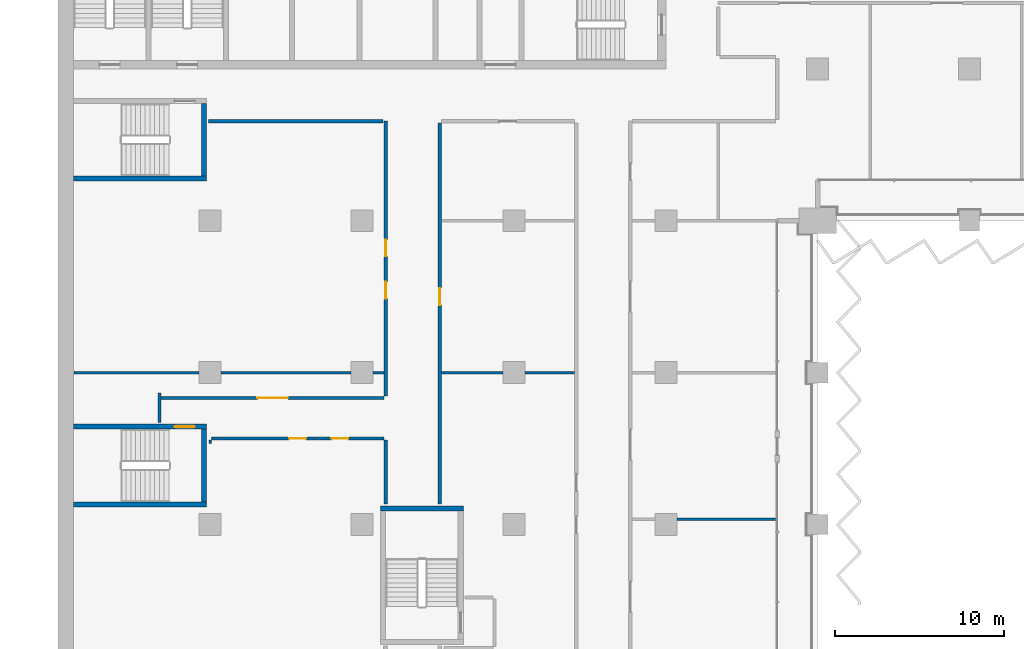
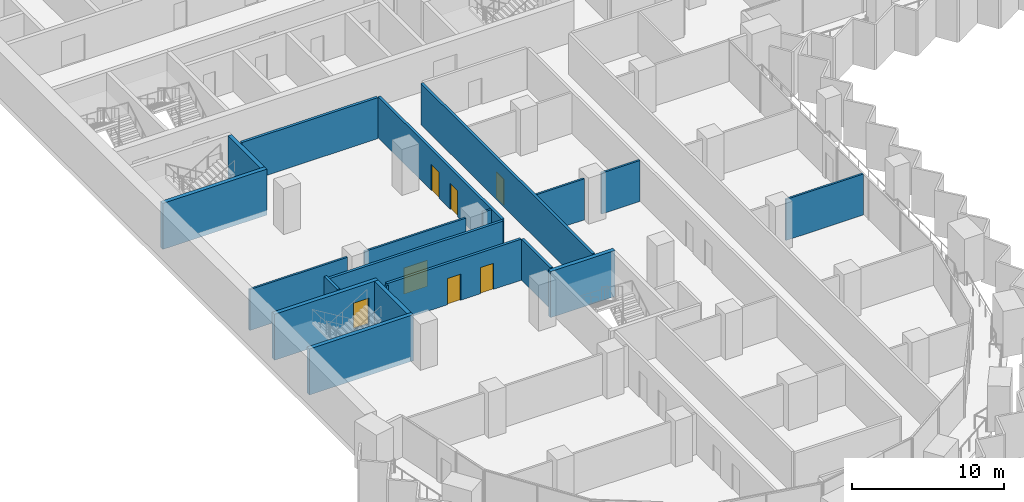
# One storey, part 10 of 22: 20 walls, 7 doors, 7 openings.
"""IFC4 building model written with IfcOpenShell, lengths in metres."""

from ifc_helpers import new_model, si_unit, direction, frame, frame_2d, origin, place, context, subcontext, project, spatial, rectangle, extrude, material, layer, layer_set, type_object, element, fill, save


model = new_model("IFC4")

# Units and contexts
model_context = context("Model", 3, precision=1e-05, world=origin(), true_north=direction((0.0, 1.0)))
body_context = subcontext(model_context, "Body", "Model", "MODEL_VIEW")
ifc_project = project(units=[si_unit("LENGTHUNIT", "METRE"), si_unit("AREAUNIT", "SQUARE_METRE"), si_unit("VOLUMEUNIT", "CUBIC_METRE"), si_unit("PLANEANGLEUNIT", "RADIAN"), si_unit("MASSUNIT", "GRAM", prefix="KILO")], contexts=[model_context])

# Site, building, storey
site_placement = place(None, origin())
site = spatial("IfcSite", under=ifc_project, at=site_placement, CompositionType="ELEMENT")
building_placement = place(site_placement, origin())
building = spatial("IfcBuilding", under=site, at=building_placement, Name="Hunhe Ridgeline Campus", CompositionType="ELEMENT")
storey_placement = place(building_placement, frame((0.0, 0.0, 84.800048828125)))
storey = spatial("IfcBuildingStorey", under=building, at=storey_placement, Name="L20", CompositionType="ELEMENT", Elevation=84.800048828125)

# Wall, openings, doors
ifc_material_1 = material(Name="Gypsum board partition")
ifc_layer_1 = layer(ifc_material_1, 0.199951171875)
ifc_layer_set_1 = layer_set([ifc_layer_1], Name="Corridor partition 200 gypsum board on steel studs")
wall_type_1 = type_object("IfcWallType", Name="Corridor partition 200 gypsum board on steel studs", PredefinedType="PARTITIONING", material=ifc_layer_set_1)
wall_1_placement = place(storey_placement, frame((19.300048828125, 41.10009765625, 0.0), z_axis=(0.0, 0.0, 1.0), x_axis=(-1.0, 0.0, 0.0)))
wall_1 = element("IfcWall", 1, at=wall_1_placement, inside=storey, type_object=wall_type_1, Name="F-L20-wall-021", PredefinedType="PARTITIONING", context=body_context, shape_type="SweptSolid", body=[
    extrude(rectangle(XDim=10.22509765625, YDim=0.199951171875, at=frame_2d((5.112548828125, 0.0))), origin(), (0.0, 0.0, 1.0), 3.300048828125),
])
opening_1_placement = place(wall_1_placement, frame((4.612548828125, 0.0, 0.0)))
opening_1 = element("IfcOpeningElement", 2, at=opening_1_placement, cuts=wall_1, Name="Opening RD1-013", PredefinedType="OPENING", context=body_context, shape_type="SweptSolid", body=[
    extrude(rectangle(XDim=1.0, YDim=2.10009765625, at=frame_2d((0.5, 1.050048828125))), frame((0.0, 0.10009765625, 0.0), z_axis=(0.0, -1.0, 0.0), x_axis=(1.0, 0.0, 0.0)), (0.0, 0.0, 1.0), 0.199951171875),
])
opening_2_placement = place(wall_1_placement, frame((2.112548828125, 0.0, 0.0)))
opening_2 = element("IfcOpeningElement", 3, at=opening_2_placement, cuts=wall_1, Name="Opening RD1-014", PredefinedType="OPENING", context=body_context, shape_type="SweptSolid", body=[
    extrude(rectangle(XDim=1.0, YDim=2.10009765625, at=frame_2d((0.5, 1.050048828125))), frame((0.0, 0.10009765625, 0.0), z_axis=(0.0, -1.0, 0.0), x_axis=(1.0, 0.0, 0.0)), (0.0, 0.0, 1.0), 0.199951171875),
])
ifc_material_2 = material(Name="Timber door leaf", Category="wood")
door_type_1 = type_object("IfcDoorType", Name="Single fire door 1000x2100 timber FD60", OperationType="NOTDEFINED", PredefinedType="DOOR", material=ifc_material_2)
door_1_placement = place(opening_1_placement, frame((1.0, 0.0, 0.0), z_axis=(0.0, 0.0, 1.0), x_axis=(-1.0, 0.0, 0.0)))
door_1 = element("IfcDoor", 4, at=door_1_placement, inside=storey, type_object=door_type_1, Name="F-L20-door-013", OperationType="SINGLE_SWING_RIGHT", OverallHeight=2.10009765625, OverallWidth=1.0, PredefinedType="DOOR", context=body_context, shape_type="SweptSolid", body=[
    extrude(rectangle(XDim=1.0, YDim=2.10009765625, at=frame_2d((0.5, 1.050048828125))), frame((0.0, 0.02490234375, 0.0), z_axis=(0.0, -1.0, 0.0), x_axis=(1.0, 0.0, 0.0)), (0.0, 0.0, 1.0), 0.050048828125),
])
fill(opening_1, door_1)
door_2_placement = place(opening_2_placement, frame((1.0, 0.0, 0.0), z_axis=(0.0, 0.0, 1.0), x_axis=(-1.0, 0.0, 0.0)))
door_2 = element("IfcDoor", 5, at=door_2_placement, inside=storey, type_object=door_type_1, Name="F-L20-door-014", OperationType="SINGLE_SWING_RIGHT", OverallHeight=2.10009765625, OverallWidth=1.0, PredefinedType="DOOR", context=body_context, shape_type="SweptSolid", body=[
    extrude(rectangle(XDim=1.0, YDim=2.10009765625, at=frame_2d((0.5, 1.050048828125))), frame((0.0, 0.02490234375, 0.0), z_axis=(0.0, -1.0, 0.0), x_axis=(1.0, 0.0, 0.0)), (0.0, 0.0, 1.0), 0.050048828125),
])
fill(opening_2, door_2)

# Wall, opening, door
wall_2_placement = place(storey_placement, frame((6.10009765625, 43.5, 0.0), z_axis=(0.0, 0.0, 1.0), x_axis=(1.0, 0.0, 0.0)))
wall_2 = element("IfcWall", 6, at=wall_2_placement, inside=storey, type_object=wall_type_1, Name="F-L20-wall-022", PredefinedType="PARTITIONING", context=body_context, shape_type="SweptSolid", body=[
    extrude(rectangle(XDim=13.199951171875, YDim=0.199951171875, at=frame_2d((6.60009765625, 0.0))), origin(), (0.0, 0.0, 1.0), 3.300048828125),
])
opening_3_placement = place(wall_2_placement, frame((5.699951171875, 0.0, 0.0)))
opening_3 = element("IfcOpeningElement", 7, at=opening_3_placement, cuts=wall_2, Name="Opening RD2-015", PredefinedType="OPENING", context=body_context, shape_type="SweptSolid", body=[
    extrude(rectangle(XDim=1.800048828125, YDim=2.10009765625, at=frame_2d((0.89990234375, 1.050048828125))), frame((0.0, 0.10009765625, 0.0), z_axis=(0.0, -1.0, 0.0), x_axis=(1.0, 0.0, 0.0)), (0.0, 0.0, 1.0), 0.199951171875),
])
door_type_2 = type_object("IfcDoorType", Name="Double fire door 1800x2100 timber FD60", OperationType="DOUBLE_DOOR_SINGLE_SWING", PredefinedType="DOOR", material=ifc_material_2)
door_3_placement = place(opening_3_placement, origin())
door_3 = element("IfcDoor", 8, at=door_3_placement, inside=storey, type_object=door_type_2, Name="F-L20-door-015", OperationType="DOUBLE_DOOR_SINGLE_SWING", OverallHeight=2.10009765625, OverallWidth=1.800048828125, PredefinedType="DOOR", context=body_context, shape_type="SweptSolid", body=[
    extrude(rectangle(XDim=1.800048828125, YDim=2.10009765625, at=frame_2d((0.89990234375, 1.050048828125))), frame((0.0, 0.02490234375, 0.0), z_axis=(0.0, -1.0, 0.0), x_axis=(1.0, 0.0, 0.0)), (0.0, 0.0, 1.0), 0.050048828125),
])
fill(opening_3, door_3)

# Walls
wall_3_placement = place(storey_placement, frame((19.249755859375, 59.89990234375, 0.0), z_axis=(0.0, 0.0, 1.0), x_axis=(-1.0, 0.0, 0.0)))
element("IfcWall", 9, at=wall_3_placement, inside=storey, type_object=wall_type_1, Name="F-L20-wall-035", PredefinedType="PARTITIONING", context=body_context, shape_type="SweptSolid", body=[
    extrude(rectangle(XDim=10.345703125, YDim=0.199951171875, at=frame_2d((5.1728515625, 0.0))), origin(), (0.0, 0.0, 1.0), 3.300048828125),
])
wall_4_placement = place(storey_placement, frame((6.0, 42.053955078125, 0.0), z_axis=(0.0, 0.0, 1.0), x_axis=(0.0, 1.0, 0.0)))
element("IfcWall", 10, at=wall_4_placement, inside=storey, type_object=wall_type_1, Name="F-L20-wall-044", PredefinedType="PARTITIONING", context=body_context, shape_type="SweptSolid", body=[
    extrude(rectangle(XDim=1.74609375, YDim=0.199951171875, at=frame_2d((0.873046875, 0.0))), origin(), (0.0, 0.0, 1.0), 3.300048828125),
])
wall_5_placement = place(storey_placement, frame((19.39990234375, 37.2041015625, 0.0), z_axis=(0.0, 0.0, 1.0), x_axis=(0.0, 1.0, 0.0)))
element("IfcWall", 11, at=wall_5_placement, inside=storey, type_object=wall_type_1, Name="F-L20-wall-047", PredefinedType="PARTITIONING", context=body_context, shape_type="SweptSolid", body=[
    extrude(rectangle(XDim=3.7958984375, YDim=0.199951171875, at=frame_2d((1.89794921875, 0.0))), origin(), (0.0, 0.0, 1.0), 3.300048828125),
])

# Wall, openings, doors
wall_6_placement = place(storey_placement, frame((19.39990234375, 43.6181640625, 0.0), z_axis=(0.0, 0.0, 1.0), x_axis=(0.0, 1.0, 0.0)))
wall_6 = element("IfcWall", 12, at=wall_6_placement, inside=storey, type_object=wall_type_1, Name="F-L20-wall-048", PredefinedType="PARTITIONING", context=body_context, shape_type="SweptSolid", body=[
    extrude(rectangle(XDim=16.28173828125, YDim=0.199951171875, at=frame_2d((8.140869140625, 0.0))), origin(), (0.0, 0.0, 1.0), 3.300048828125),
])
opening_4_placement = place(wall_6_placement, frame((5.76708984375, 0.0, 0.0)))
opening_4 = element("IfcOpeningElement", 13, at=opening_4_placement, cuts=wall_6, Name="Opening RD1-018", PredefinedType="OPENING", context=body_context, shape_type="SweptSolid", body=[
    extrude(rectangle(XDim=1.0, YDim=2.10009765625, at=frame_2d((0.5, 1.050048828125))), frame((0.0, 0.10009765625, 0.0), z_axis=(0.0, -1.0, 0.0), x_axis=(1.0, 0.0, 0.0)), (0.0, 0.0, 1.0), 0.199951171875),
])
opening_5_placement = place(wall_6_placement, frame((8.26708984375, 0.0, 0.0)))
opening_5 = element("IfcOpeningElement", 14, at=opening_5_placement, cuts=wall_6, Name="Opening RD1-019", PredefinedType="OPENING", context=body_context, shape_type="SweptSolid", body=[
    extrude(rectangle(XDim=1.0, YDim=2.10009765625, at=frame_2d((0.5, 1.050048828125))), frame((0.0, 0.10009765625, 0.0), z_axis=(0.0, -1.0, 0.0), x_axis=(1.0, 0.0, 0.0)), (0.0, 0.0, 1.0), 0.199951171875),
])
door_4_placement = place(opening_4_placement, frame((1.0, 0.0, 0.0), z_axis=(0.0, 0.0, 1.0), x_axis=(-1.0, 0.0, 0.0)))
door_4 = element("IfcDoor", 15, at=door_4_placement, inside=storey, type_object=door_type_1, Name="F-L20-door-018", OperationType="SINGLE_SWING_RIGHT", OverallHeight=2.10009765625, OverallWidth=1.0, PredefinedType="DOOR", context=body_context, shape_type="SweptSolid", body=[
    extrude(rectangle(XDim=1.0, YDim=2.10009765625, at=frame_2d((0.5, 1.050048828125))), frame((0.0, 0.02490234375, 0.0), z_axis=(0.0, -1.0, 0.0), x_axis=(1.0, 0.0, 0.0)), (0.0, 0.0, 1.0), 0.050048828125),
])
fill(opening_4, door_4)
door_5_placement = place(opening_5_placement, frame((1.0, 0.0, 0.0), z_axis=(0.0, 0.0, 1.0), x_axis=(-1.0, 0.0, 0.0)))
door_5 = element("IfcDoor", 16, at=door_5_placement, inside=storey, type_object=door_type_1, Name="F-L20-door-019", OperationType="SINGLE_SWING_LEFT", OverallHeight=2.10009765625, OverallWidth=1.0, PredefinedType="DOOR", context=body_context, shape_type="SweptSolid", body=[
    extrude(rectangle(XDim=1.0, YDim=2.10009765625, at=frame_2d((0.5, 1.050048828125))), frame((0.0, 0.02490234375, 0.0), z_axis=(0.0, -1.0, 0.0), x_axis=(1.0, 0.0, 0.0)), (0.0, 0.0, 1.0), 0.050048828125),
])
fill(opening_5, door_5)

# Wall, opening, door
wall_7_placement = place(storey_placement, frame((22.60009765625, 59.800048828125, 0.0), z_axis=(0.0, 0.0, 1.0), x_axis=(0.0, -1.0, 0.0)))
wall_7 = element("IfcWall", 17, at=wall_7_placement, inside=storey, type_object=wall_type_1, Name="F-L20-wall-051", PredefinedType="PARTITIONING", context=body_context, shape_type="SweptSolid", body=[
    extrude(rectangle(XDim=22.595947265625, YDim=0.199951171875, at=frame_2d((11.2978515625, 0.0))), origin(), (0.0, 0.0, 1.0), 3.300048828125),
])
opening_6_placement = place(wall_7_placement, frame((9.793701171875, 0.0, 0.0)))
opening_6 = element("IfcOpeningElement", 18, at=opening_6_placement, cuts=wall_7, Name="Opening RD1-016", PredefinedType="OPENING", context=body_context, shape_type="SweptSolid", body=[
    extrude(rectangle(XDim=1.0, YDim=2.10009765625, at=frame_2d((0.5, 1.050048828125))), frame((0.0, 0.10009765625, 0.0), z_axis=(0.0, -1.0, 0.0), x_axis=(1.0, 0.0, 0.0)), (0.0, 0.0, 1.0), 0.199951171875),
])
door_6_placement = place(opening_6_placement, origin())
door_6 = element("IfcDoor", 19, at=door_6_placement, inside=storey, type_object=door_type_1, Name="F-L20-door-016", OperationType="SINGLE_SWING_LEFT", OverallHeight=2.10009765625, OverallWidth=1.0, PredefinedType="DOOR", context=body_context, shape_type="SweptSolid", body=[
    extrude(rectangle(XDim=1.0, YDim=2.10009765625, at=frame_2d((0.5, 1.050048828125))), frame((0.0, 0.02490234375, 0.0), z_axis=(0.0, -1.0, 0.0), x_axis=(1.0, 0.0, 0.0)), (0.0, 0.0, 1.0), 0.050048828125),
])
fill(opening_6, door_6)

# Walls
ifc_layer_2 = layer(ifc_material_1, 0.14990234375)
ifc_layer_set_2 = layer_set([ifc_layer_2], Name="Room partition 150 gypsum board on steel studs")
wall_type_2 = type_object("IfcWallType", Name="Room partition 150 gypsum board on steel studs", PredefinedType="PARTITIONING", material=ifc_layer_set_2)
wall_8_placement = place(storey_placement, frame((36.64990234375, 36.300048828125, 0.0), z_axis=(0.0, 0.0, 1.0), x_axis=(1.0, 0.0, 0.0)))
element("IfcWall", 20, at=wall_8_placement, inside=storey, type_object=wall_type_2, Name="F-L20-wall-020", PredefinedType="PARTITIONING", context=body_context, shape_type="SweptSolid", body=[
    extrude(rectangle(XDim=5.895263671875, YDim=0.14990234375, at=frame_2d((2.94775390625, 0.0))), origin(), (0.0, 0.0, 1.0), 3.300048828125),
])
wall_9_placement = place(storey_placement, frame((0.919921875, 45.0, 0.0), z_axis=(0.0, 0.0, 1.0), x_axis=(1.0, 0.0, 0.0)))
element("IfcWall", 21, at=wall_9_placement, inside=storey, type_object=wall_type_2, Name="F-L20-wall-023", PredefinedType="PARTITIONING", context=body_context, shape_type="SweptSolid", body=[
    extrude(rectangle(XDim=7.43017578125, YDim=0.14990234375, at=frame_2d((3.715087890625, 0.0))), origin(), (0.0, 0.0, 1.0), 3.300048828125),
])
wall_10_placement = place(storey_placement, frame((9.64990234375, 45.0, 0.0), z_axis=(0.0, 0.0, 1.0), x_axis=(1.0, 0.0, 0.0)))
element("IfcWall", 22, at=wall_10_placement, inside=storey, type_object=wall_type_2, Name="F-L20-wall-024", PredefinedType="PARTITIONING", context=body_context, shape_type="SweptSolid", body=[
    extrude(rectangle(XDim=7.7001953125, YDim=0.14990234375, at=frame_2d((3.85009765625, 0.0))), origin(), (0.0, 0.0, 1.0), 3.300048828125),
])
wall_11_placement = place(storey_placement, frame((18.64990234375, 45.0, 0.0), z_axis=(0.0, 0.0, 1.0), x_axis=(1.0, 0.0, 0.0)))
element("IfcWall", 23, at=wall_11_placement, inside=storey, type_object=wall_type_2, Name="F-L20-wall-025", PredefinedType="PARTITIONING", context=body_context, shape_type="SweptSolid", body=[
    extrude(rectangle(XDim=0.650146484375, YDim=0.14990234375, at=frame_2d((0.3251953125, 0.0))), origin(), (0.0, 0.0, 1.0), 3.300048828125),
])
wall_12_placement = place(storey_placement, frame((22.699951171875, 45.0, 0.0), z_axis=(0.0, 0.0, 1.0), x_axis=(1.0, 0.0, 0.0)))
element("IfcWall", 24, at=wall_12_placement, inside=storey, type_object=wall_type_2, Name="F-L20-wall-026", PredefinedType="PARTITIONING", context=body_context, shape_type="SweptSolid", body=[
    extrude(rectangle(XDim=3.650146484375, YDim=0.14990234375, at=frame_2d((1.8251953125, 0.0))), origin(), (0.0, 0.0, 1.0), 3.300048828125),
])
wall_13_placement = place(storey_placement, frame((27.64990234375, 45.0, 0.0), z_axis=(0.0, 0.0, 1.0), x_axis=(1.0, 0.0, 0.0)))
element("IfcWall", 25, at=wall_13_placement, inside=storey, type_object=wall_type_2, Name="F-L20-wall-027", PredefinedType="PARTITIONING", context=body_context, shape_type="SweptSolid", body=[
    extrude(rectangle(XDim=2.9501953125, YDim=0.14990234375, at=frame_2d((1.47509765625, 0.0))), origin(), (0.0, 0.0, 1.0), 3.300048828125),
])
wall_14_placement = place(storey_placement, frame((9.0, 41.0, 0.0), z_axis=(0.0, 0.0, 1.0), x_axis=(0.0, -1.0, 0.0)))
element("IfcWall", 26, at=wall_14_placement, inside=storey, type_object=wall_type_2, Name="F-L20-wall-045", PredefinedType="PARTITIONING", context=body_context, shape_type="SweptSolid", body=[
    extrude(rectangle(XDim=0.199951171875, YDim=0.14990234375, at=frame_2d((0.10009765625, 0.0))), origin(), (0.0, 0.0, 1.0), 3.300048828125),
])
ifc_material_3 = material(Name="Concrete C80", Category="concrete")
ifc_layer_3 = layer(ifc_material_3, 0.300048828125)
ifc_layer_set_3 = layer_set([ifc_layer_3], Name="Stair wall 300 reinforced concrete C80")
wall_type_3 = type_object("IfcWallType", Name="Stair wall 300 reinforced concrete C80", PredefinedType="SOLIDWALL", material=ifc_layer_set_3)
wall_15_placement = place(storey_placement, frame((19.10009765625, 36.949951171875, -0.400146484375), z_axis=(0.0, 0.0, 1.0), x_axis=(1.0, 0.0, 0.0)))
element("IfcWall", 27, at=wall_15_placement, inside=storey, type_object=wall_type_3, Name="L20 core wall 2", PredefinedType="SOLIDWALL", context=body_context, shape_type="SweptSolid", body=[
    extrude(rectangle(XDim=4.89990234375, YDim=0.300048828125, at=frame_2d((2.449951171875, 0.0))), origin(), (0.0, 0.0, 1.0), 3.7001953125),
])
wall_16_placement = place(storey_placement, frame((0.89990234375, 37.199951171875, -0.400146484375), z_axis=(0.0, 0.0, 1.0), x_axis=(1.0, 0.0, 0.0)))
element("IfcWall", 28, at=wall_16_placement, inside=storey, type_object=wall_type_3, Name="L20 core wall 3", PredefinedType="SOLIDWALL", context=body_context, shape_type="SweptSolid", body=[
    extrude(rectangle(XDim=7.900146484375, YDim=0.300048828125, at=frame_2d((3.9501953125, 0.0))), origin(), (0.0, 0.0, 1.0), 3.7001953125),
])

# Wall, opening, door
wall_17_placement = place(storey_placement, frame((0.89990234375, 41.800048828125, -0.400146484375), z_axis=(0.0, 0.0, 1.0), x_axis=(1.0, 0.0, 0.0)))
wall_17 = element("IfcWall", 29, at=wall_17_placement, inside=storey, type_object=wall_type_3, Name="L20 core wall 4", PredefinedType="SOLIDWALL", context=body_context, shape_type="SweptSolid", body=[
    extrude(rectangle(XDim=7.900146484375, YDim=0.300048828125, at=frame_2d((3.9501953125, 0.0))), origin(), (0.0, 0.0, 1.0), 3.7001953125),
])
opening_7_placement = place(wall_17_placement, frame((6.0, 0.0, 0.39990234375)))
opening_7 = element("IfcOpeningElement", 30, at=opening_7_placement, cuts=wall_17, Name="Opening CD21", PredefinedType="OPENING", context=body_context, shape_type="SweptSolid", body=[
    extrude(rectangle(XDim=1.199951171875, YDim=2.10009765625, at=frame_2d((0.60009765625, 1.050048828125))), frame((0.0, 0.14990234375, 0.0), z_axis=(0.0, -1.0, 0.0), x_axis=(1.0, 0.0, 0.0)), (0.0, 0.0, 1.0), 0.300048828125),
])
ifc_material_4 = material(Name="Hollow metal fire door leaf")
door_type_3 = type_object("IfcDoorType", Name="Stair door 1200x2100 FD60", OperationType="SINGLE_SWING_LEFT", PredefinedType="DOOR", material=ifc_material_4)
door_7_placement = place(opening_7_placement, origin())
door_7 = element("IfcDoor", 31, at=door_7_placement, inside=storey, type_object=door_type_3, Name="L20 door W1", OperationType="SINGLE_SWING_RIGHT", OverallHeight=2.10009765625, OverallWidth=1.199951171875, PredefinedType="DOOR", context=body_context, shape_type="SweptSolid", body=[
    extrude(rectangle(XDim=1.199951171875, YDim=2.10009765625, at=frame_2d((0.60009765625, 1.050048828125))), frame((0.0, 0.02490234375, 0.0), z_axis=(0.0, -1.0, 0.0), x_axis=(1.0, 0.0, 0.0)), (0.0, 0.0, 1.0), 0.050048828125),
])
fill(opening_7, door_7)

# Walls
wall_18_placement = place(storey_placement, frame((0.89990234375, 56.5, -0.400146484375), z_axis=(0.0, 0.0, 1.0), x_axis=(1.0, 0.0, 0.0)))
element("IfcWall", 32, at=wall_18_placement, inside=storey, type_object=wall_type_3, Name="L20 core wall 5", PredefinedType="SOLIDWALL", context=body_context, shape_type="SweptSolid", body=[
    extrude(rectangle(XDim=7.900146484375, YDim=0.300048828125, at=frame_2d((3.9501953125, 0.0))), origin(), (0.0, 0.0, 1.0), 3.7001953125),
])
wall_19_placement = place(storey_placement, frame((8.64990234375, 37.35009765625, -0.400146484375), z_axis=(0.0, 0.0, 1.0), x_axis=(0.0, 1.0, 0.0)))
element("IfcWall", 33, at=wall_19_placement, inside=storey, type_object=wall_type_3, Name="L20 core wall 38", PredefinedType="SOLIDWALL", context=body_context, shape_type="SweptSolid", body=[
    extrude(rectangle(XDim=4.2998046875, YDim=0.300048828125, at=frame_2d((2.14990234375, 0.0))), origin(), (0.0, 0.0, 1.0), 3.7001953125),
])
wall_20_placement = place(storey_placement, frame((8.64990234375, 56.64990234375, -0.400146484375), z_axis=(0.0, 0.0, 1.0), x_axis=(0.0, 1.0, 0.0)))
element("IfcWall", 34, at=wall_20_placement, inside=storey, type_object=wall_type_3, Name="L20 core wall 39", PredefinedType="SOLIDWALL", context=body_context, shape_type="SweptSolid", body=[
    extrude(rectangle(XDim=4.300048828125, YDim=0.300048828125, at=frame_2d((2.14990234375, 0.0))), origin(), (0.0, 0.0, 1.0), 3.7001953125),
])

save(model, "model.ifc")
